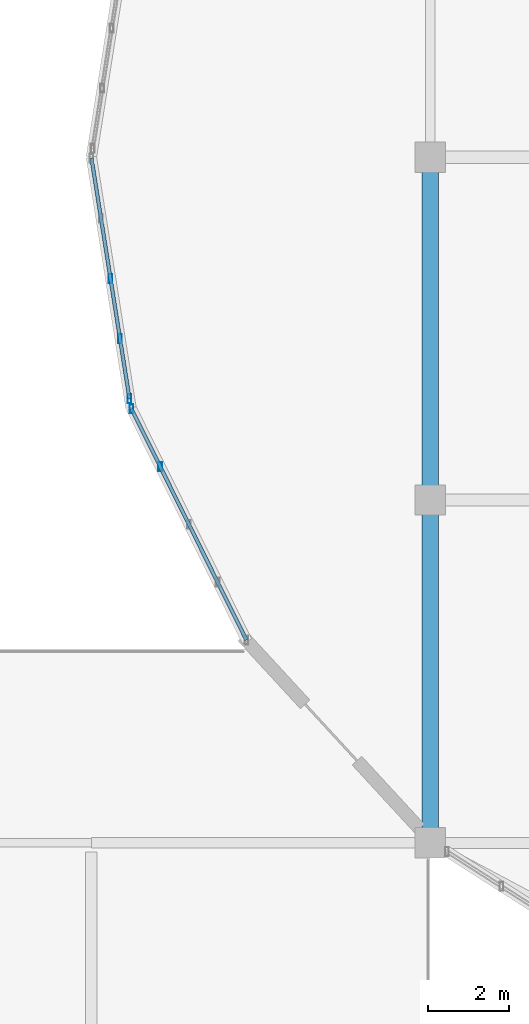
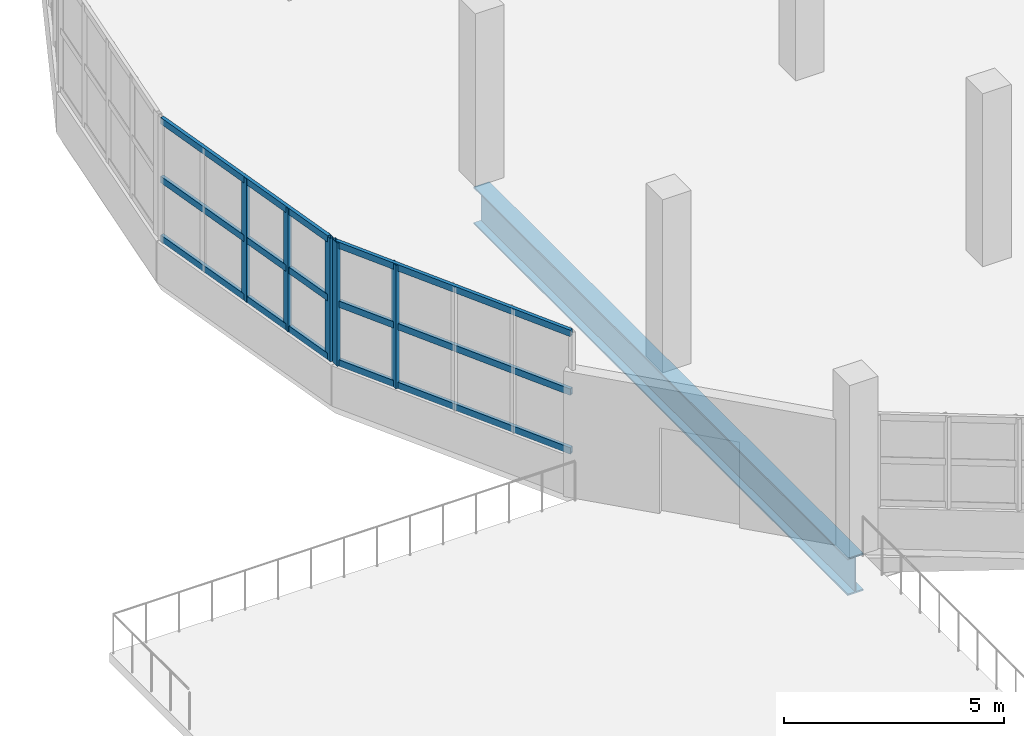
# One storey, part 9 of 77: 11 members, 1 beam, 2 elements without a shape of their own.
"""IFC4 building model written with IfcOpenShell, lengths in metres."""

import ifcopenshell
import ifcopenshell.guid

model = None  # the IFC model being written
_history = None  # IfcOwnerHistory: only IFC2X3 demands one
_inside = {}  # id of a spatial element -> (the spatial element, [elements in it])
_under = {}  # id of a project, library or spatial element -> (it, [spatial elements below it])
_declared = {}  # id of a project -> (the project, [libraries it declares])
_typed = {}  # id of a type object -> (the type object, [elements of that type])
_made_of = {}  # id of a material, layer set ... -> (it, [elements and type objects made of it])


def new_model(schema):
    """Start an empty IFC model of exactly this schema.

    Asked for "IFC4X3", IfcOpenShell would pick the latest addendum, in which some entities
    have other attributes; the version numbers below select the first issue.
    IFC2X3 requires an IfcOwnerHistory on every rooted entity: one is made here for all.
    """
    global model, _history
    if schema == "IFC4X3":
        model = ifcopenshell.file(schema_version=(4, 3, 0, 0))
    else:
        model = ifcopenshell.file(schema=schema)
    _inside.clear()
    _under.clear()
    _declared.clear()
    _typed.clear()
    _made_of.clear()
    _history = None
    if model.schema == "IFC2X3":
        org = make("IfcOrganization", Name="unknown")
        user = make(
            "IfcPersonAndOrganization",
            ThePerson=make("IfcPerson", FamilyName="unknown"),
            TheOrganization=org,
        )
        app = make(
            "IfcApplication",
            ApplicationDeveloper=org,
            Version="unknown",
            ApplicationFullName="unknown",
            ApplicationIdentifier="unknown",
        )
        _history = make(
            "IfcOwnerHistory",
            OwningUser=user,
            OwningApplication=app,
            ChangeAction="ADDED",
            CreationDate=0,
        )
    return model


def make(cls, **values):
    """One entity of the class cls with the attributes given. An attribute that is None is left unset."""
    return model.create_entity(
        cls, **{name: value for name, value in values.items() if value is not None}
    )


def rooted(cls, **values):
    """An entity with a GlobalId (a new one), such as an element, a storey or a relation."""
    return make(cls, GlobalId=ifcopenshell.guid.new(), OwnerHistory=_history, **values)


def si_unit(unit_type, name, prefix=None):
    """IfcSIUnit, for example si_unit("LENGTHUNIT", "METRE", prefix="MILLI")."""
    return make("IfcSIUnit", UnitType=unit_type, Prefix=prefix, Name=name)


def assignment(units):
    """IfcUnitAssignment: the units of a project."""
    return None if units is None else make("IfcUnitAssignment", Units=units)


def point(xyz):
    """IfcCartesianPoint."""
    return None if xyz is None else make("IfcCartesianPoint", Coordinates=xyz)


def direction(xyz):
    """IfcDirection."""
    return None if xyz is None else make("IfcDirection", DirectionRatios=xyz)


def frame(location, z_axis=None, x_axis=None):
    """IfcAxis2Placement3D, a coordinate frame: its origin and axes. An axis left out is left unset."""
    return make(
        "IfcAxis2Placement3D",
        Location=point(location),
        Axis=direction(z_axis),
        RefDirection=direction(x_axis),
    )


def frame_2d(location, x_axis=None):
    """IfcAxis2Placement2D, a coordinate frame in the plane: its origin and x axis."""
    return make(
        "IfcAxis2Placement2D", Location=point(location), RefDirection=direction(x_axis)
    )


def origin():
    """The frame at (0, 0, 0) with its axes left unset."""
    return frame((0.0, 0.0, 0.0))


def origin_2d():
    """The frame at (0, 0) in the plane with its x axis left unset."""
    return frame_2d((0.0, 0.0))


def place(relative_to, where):
    """IfcLocalPlacement: puts the frame where relative to a parent placement (None: the world)."""
    return make(
        "IfcLocalPlacement", PlacementRelTo=relative_to, RelativePlacement=where
    )


def context(
    kind, dimensions, precision=None, world=None, true_north=None, identifier=None
):
    """IfcGeometricRepresentationContext, for example the 3D "Model" context."""
    return make(
        "IfcGeometricRepresentationContext",
        ContextIdentifier=identifier,
        ContextType=kind,
        CoordinateSpaceDimension=dimensions,
        Precision=precision,
        WorldCoordinateSystem=world,
        TrueNorth=true_north,
    )


def subcontext(parent, identifier, kind, view, scale=None):
    """IfcGeometricRepresentationSubContext, for example "Body" below "Model"."""
    return make(
        "IfcGeometricRepresentationSubContext",
        ContextIdentifier=identifier,
        ContextType=kind,
        ParentContext=parent,
        TargetScale=scale,
        TargetView=view,
    )


def project(units=None, contexts=None):
    """IfcProject with its units and contexts."""
    return rooted(
        "IfcProject",
        Name="project",
        RepresentationContexts=contexts,
        UnitsInContext=assignment(units),
    )


def spatial(cls, under=None, at=None, **own):
    """A site, building, storey or space (cls), placed at a placement, below another one or the project."""
    s = rooted(cls, ObjectPlacement=at, **own)
    if under is not None:
        _under.setdefault(under.id(), (under, []))[1].append(s)
    return s


def profile(cls, at=None, kind="AREA", **sizes):
    """A parametric profile (cls). Its sizes go by their IFC names, for example OverallWidth=200.0."""
    return make(cls, ProfileType=kind, Position=at, **sizes)


def hollow_rectangle(**sizes):
    """IfcRectangleHollowProfileDef."""
    return profile("IfcRectangleHollowProfileDef", **sizes)


def i_section(**sizes):
    """IfcIShapeProfileDef."""
    return profile("IfcIShapeProfileDef", **sizes)


def extrude(swept, where, along, depth):
    """IfcExtrudedAreaSolid: the profile swept, set in the frame where, extruded along a direction by depth."""
    return make(
        "IfcExtrudedAreaSolid",
        SweptArea=swept,
        Position=where,
        ExtrudedDirection=direction(along),
        Depth=depth,
    )


def shape(context_of_items, identifier, shape_type, items):
    """IfcShapeRepresentation: the items that make up one representation, for example the "Body"."""
    return make(
        "IfcShapeRepresentation",
        ContextOfItems=context_of_items,
        RepresentationIdentifier=identifier,
        RepresentationType=shape_type,
        Items=items,
    )


def material(Name=None, Category=None):
    """IfcMaterial."""
    return make("IfcMaterial", Name=Name, Category=Category)


def material_profile(
    of_material, cross_section, Name=None, Category=None, Priority=None
):
    """IfcMaterialProfile: a cross section and its material."""
    return make(
        "IfcMaterialProfile",
        Name=Name,
        Material=of_material,
        Profile=cross_section,
        Priority=Priority,
        Category=Category,
    )


def profile_set(profiles, Name=None, composite=None):
    """IfcMaterialProfileSet."""
    return make(
        "IfcMaterialProfileSet",
        Name=Name,
        MaterialProfiles=profiles,
        CompositeProfile=composite,
    )


def made_of(thing, what):
    """Note that an element or type object is made of a material, layer set ...; save() writes the relation."""
    if what is not None:
        _made_of.setdefault(what.id(), (what, []))[1].append(thing)
    return thing


def type_object(cls, material=None, **own):
    """A type object (cls), such as IfcWallType, which elements share."""
    return made_of(rooted(cls, **own), material)


def element(
    cls,
    number,
    at=None,
    inside=None,
    cuts=None,
    type_object=None,
    material=None,
    context=None,
    identifier="Body",
    shape_type=None,
    held_by="IfcProductDefinitionShape",
    body=None,
    shapes=None,
    **own,
):
    """One element of the class cls, such as IfcWall. Its Tag is "e" and its number.

    at: its placement. inside: the storey or other place that contains it. cuts: it is an
    opening in that element (IfcRelVoidsElement). A single representation is given by context,
    identifier, shape_type and body (its items); several are given by shapes. held_by: the class
    of the entity that holds the representations. save() writes the other relations.
    """
    e = rooted(cls, Tag="e%d" % number, ObjectPlacement=at, **own)
    if body is not None:
        shapes = [shape(context, identifier, shape_type, body)]
    if shapes is not None:
        e.Representation = make(held_by, Representations=shapes)
    if inside is not None:
        _inside.setdefault(inside.id(), (inside, []))[1].append(e)
    if cuts is not None:
        rooted(
            "IfcRelVoidsElement", RelatingBuildingElement=cuts, RelatedOpeningElement=e
        )
    if type_object is not None:
        _typed.setdefault(type_object.id(), (type_object, []))[1].append(e)
    return made_of(e, material)


def aggregate(whole, parts):
    """IfcRelAggregates: a whole, such as a stair, and the parts it consists of."""
    return rooted("IfcRelAggregates", RelatingObject=whole, RelatedObjects=parts)


def save(model, path):
    """Write the relations noted so far, then the file.

    IfcRelAggregates (storeys below a building ...), IfcRelContainedInSpatialStructure (elements
    in a storey), IfcRelDefinesByType, IfcRelAssociatesMaterial and IfcRelDeclares: one each for
    every whole, place, type object, material and project.
    """
    for whole, parts in _under.values():
        aggregate(whole, parts)
    for where, things in _inside.values():
        rooted(
            "IfcRelContainedInSpatialStructure",
            RelatedElements=things,
            RelatingStructure=where,
        )
    for kind, things in _typed.values():
        rooted("IfcRelDefinesByType", RelatedObjects=things, RelatingType=kind)
    for what, things in _made_of.values():
        rooted("IfcRelAssociatesMaterial", RelatedObjects=things, RelatingMaterial=what)
    for by, libraries in _declared.values():
        rooted("IfcRelDeclares", RelatingContext=by, RelatedDefinitions=libraries)
    model.write(path)


model = new_model("IFC4")

# Units and contexts
model_context = context("Model", 3, precision=1e-05, world=origin(), true_north=direction((0.0, 1.0)))
body_context = subcontext(model_context, "Body", "Model", "MODEL_VIEW")
ifc_project = project(units=[si_unit("LENGTHUNIT", "METRE"), si_unit("AREAUNIT", "SQUARE_METRE"), si_unit("VOLUMEUNIT", "CUBIC_METRE"), si_unit("PLANEANGLEUNIT", "RADIAN"), si_unit("MASSUNIT", "GRAM", prefix="KILO")], contexts=[model_context])

# Site, building, storey
site_placement = place(None, origin())
site = spatial("IfcSite", under=ifc_project, at=site_placement, CompositionType="ELEMENT")
building_placement = place(site_placement, origin())
building = spatial("IfcBuilding", under=site, at=building_placement, Name="Solvento Point Concert Hall", CompositionType="ELEMENT")
storey_placement = place(building_placement, frame((0.0, 0.0, 10.199951171875)))
storey = spatial("IfcBuildingStorey", under=building, at=storey_placement, Name="L02", CompositionType="ELEMENT", Elevation=10.199951171875)

# Beam
ifc_material_1 = material(Name="Structural Steel ASTM A992 Grade 50", Category="steel")
ifc_material_profile_1 = material_profile(ifc_material_1, i_section(OverallWidth=0.408935546875, OverallDepth=1.041015625, WebThickness=0.031005859375, FlangeThickness=0.04443359375, at=origin_2d()), Name="W40X397")
ifc_profile_set_1 = profile_set([ifc_material_profile_1], Name="Structural Steel ASTM A992 Grade 50")
beam_type = type_object("IfcBeamType", Name="CantileverGirder_W40X397", PredefinedType="USERDEFINED", material=ifc_profile_set_1)
beam_placement = place(storey_placement, frame((40.800048828125, 34.0, -0.79541015625), z_axis=(0.0, -1.0, 0.0), x_axis=(1.0, 0.0, 0.0)))
element("IfcBeam", 1, at=beam_placement, inside=storey, type_object=beam_type, Name="Radial back-span girder CG-01 L02", ObjectType="GIRDER", PredefinedType="USERDEFINED", context=body_context, shape_type="SweptSolid", body=[
    extrude(i_section(OverallWidth=0.408935546875, OverallDepth=1.041015625, WebThickness=0.031005859375, FlangeThickness=0.04443359375, at=origin_2d()), origin(), (0.0, 0.0, 1.0), 17.0),
])

# Curtain wall, members
ifc_material_2 = material(Name="Anodized Bronze Aluminium", Category="aluminium")
curtain_wall_type = type_object("IfcCurtainWallType", Name="CurtainWall_RingRibbon_L01_02", PredefinedType="USERDEFINED", material=ifc_material_2)
curtain_wall_1_placement = place(storey_placement, origin())
curtain_wall_1 = element("IfcCurtainWall", 2, at=curtain_wall_1_placement, inside=storey, type_object=curtain_wall_type, Name="Unitised curtain wall CW-59 UCW-L02-168", ObjectType="UNITISED CURTAIN WALL", PredefinedType="USERDEFINED")
ifc_material_3 = material(Name="Anodized Bronze Aluminium", Category="aluminium")
ifc_material_profile_2 = material_profile(ifc_material_3, hollow_rectangle(XDim=0.090087890625, YDim=0.219970703125, WallThickness=0.00439453125, at=origin_2d()), Name="CW-MUL-90X220")
ifc_profile_set_2 = profile_set([ifc_material_profile_2], Name="Anodized Bronze Aluminium")
member_type_1 = type_object("IfcMemberType", Name="Mullion_90x220", PredefinedType="MULLION", material=ifc_profile_set_2)
member_1_placement = place(storey_placement, frame((34.107421875, 26.327880859375, 1.1201171875), z_axis=(0.0, 0.0, 1.0), x_axis=(1.0, 0.0, 0.0)))
member_1 = element("IfcMember", 3, at=member_1_placement, type_object=member_type_1, Name="Curtain wall mullion ML-02", PredefinedType="MULLION", context=body_context, shape_type="SweptSolid", body=[
    extrude(hollow_rectangle(XDim=0.090087890625, YDim=0.219970703125, WallThickness=0.00439453125, at=origin_2d()), origin(), (0.0, 0.0, 1.0), 3.419921875),
])
member_2_placement = place(storey_placement, frame((33.394775390625, 27.761474609375, 1.1201171875), z_axis=(0.0, 0.0, 1.0), x_axis=(1.0, 0.0, 0.0)))
member_2 = element("IfcMember", 4, at=member_2_placement, type_object=member_type_1, Name="Curtain wall mullion ML-02", PredefinedType="MULLION", context=body_context, shape_type="SweptSolid", body=[
    extrude(hollow_rectangle(XDim=0.090087890625, YDim=0.219970703125, WallThickness=0.00439453125, at=origin_2d()), origin(), (0.0, 0.0, 1.0), 3.419921875),
])

curtain_wall_2_placement = place(storey_placement, origin())
curtain_wall_2 = element("IfcCurtainWall", 5, at=curtain_wall_2_placement, inside=storey, type_object=curtain_wall_type, Name="Unitised curtain wall CW-59 UCW-L02-169", ObjectType="UNITISED CURTAIN WALL", PredefinedType="USERDEFINED")
member_3_placement = place(storey_placement, frame((33.346923828125, 28.005615234375, 1.1201171875), z_axis=(0.0, 0.0, 1.0), x_axis=(1.0, 0.0, 0.0)))
member_3 = element("IfcMember", 6, at=member_3_placement, type_object=member_type_1, Name="Curtain wall mullion ML-02", PredefinedType="MULLION", context=body_context, shape_type="SweptSolid", body=[
    extrude(hollow_rectangle(XDim=0.090087890625, YDim=0.219970703125, WallThickness=0.00439453125, at=origin_2d()), origin(), (0.0, 0.0, 1.0), 3.419921875),
])
member_4_placement = place(storey_placement, frame((33.111328125, 29.496826171875, 1.1201171875), z_axis=(0.0, 0.0, 1.0), x_axis=(1.0, 0.0, 0.0)))
member_4 = element("IfcMember", 7, at=member_4_placement, type_object=member_type_1, Name="Curtain wall mullion ML-02", PredefinedType="MULLION", context=body_context, shape_type="SweptSolid", body=[
    extrude(hollow_rectangle(XDim=0.090087890625, YDim=0.219970703125, WallThickness=0.00439453125, at=origin_2d()), origin(), (0.0, 0.0, 1.0), 3.419921875),
])
member_5_placement = place(storey_placement, frame((32.875732421875, 30.988037109375, 1.1201171875), z_axis=(0.0, 0.0, 1.0), x_axis=(1.0, 0.0, 0.0)))
member_5 = element("IfcMember", 8, at=member_5_placement, type_object=member_type_1, Name="Curtain wall mullion ML-02", PredefinedType="MULLION", context=body_context, shape_type="SweptSolid", body=[
    extrude(hollow_rectangle(XDim=0.090087890625, YDim=0.219970703125, WallThickness=0.00439453125, at=origin_2d()), origin(), (0.0, 0.0, 1.0), 3.419921875),
])

# Member
ifc_material_4 = material(Name="Anodized Bronze Aluminium", Category="aluminium")
ifc_material_profile_3 = material_profile(ifc_material_4, hollow_rectangle(XDim=0.090087890625, YDim=0.179931640625, WallThickness=0.00439453125, at=origin_2d()), Name="CW-TRN-90X180")
ifc_profile_set_3 = profile_set([ifc_material_profile_3], Name="Anodized Bronze Aluminium")
member_type_2 = type_object("IfcMemberType", Name="Transom_90x180", PredefinedType="USERDEFINED", material=ifc_profile_set_3)
member_6_placement = place(storey_placement, frame((36.2451171875, 22.02685546875, 1.199951171875), z_axis=(-0.445092669224, 0.895484514552, 0.0), x_axis=(-0.895484514552, -0.445092669224, 0.0)))
member_6 = element("IfcMember", 9, at=member_6_placement, type_object=member_type_2, Name="Curtain wall transom TR-02", ObjectType="TRANSOM", PredefinedType="USERDEFINED", context=body_context, shape_type="SweptSolid", body=[
    extrude(hollow_rectangle(XDim=0.090087890625, YDim=0.179931640625, WallThickness=0.00439453125, at=origin_2d()), origin(), (0.0, 0.0, 1.0), 6.40380859375),
])

member_7_placement = place(storey_placement, frame((36.2451171875, 22.02685546875, 2.830078125), z_axis=(-0.445092669224, 0.895484514552, 0.0), x_axis=(-0.895484514552, -0.445092669224, 0.0)))
member_7 = element("IfcMember", 10, at=member_7_placement, type_object=member_type_2, Name="Curtain wall transom TR-02", ObjectType="TRANSOM", PredefinedType="USERDEFINED", context=body_context, shape_type="SweptSolid", body=[
    extrude(hollow_rectangle(XDim=0.090087890625, YDim=0.179931640625, WallThickness=0.00439453125, at=origin_2d()), origin(), (0.0, 0.0, 1.0), 6.40380859375),
])

member_8_placement = place(storey_placement, frame((36.2451171875, 22.02685546875, 4.4599609375), z_axis=(-0.445092669224, 0.895484514552, 0.0), x_axis=(-0.895484514552, -0.445092669224, 0.0)))
member_8 = element("IfcMember", 11, at=member_8_placement, type_object=member_type_2, Name="Curtain wall transom TR-02", ObjectType="TRANSOM", PredefinedType="USERDEFINED", context=body_context, shape_type="SweptSolid", body=[
    extrude(hollow_rectangle(XDim=0.090087890625, YDim=0.179931640625, WallThickness=0.00439453125, at=origin_2d()), origin(), (0.0, 0.0, 1.0), 6.40380859375),
])

aggregate(curtain_wall_1, [member_1, member_2, member_6, member_7, member_8])

member_9_placement = place(storey_placement, frame((33.346923828125, 28.005615234375, 1.199951171875), z_axis=(-0.156014475008, 0.987754768952, 0.0), x_axis=(-0.987754768952, -0.156014475008, 0.0)))
member_9 = element("IfcMember", 12, at=member_9_placement, type_object=member_type_2, Name="Curtain wall transom TR-02", ObjectType="TRANSOM", PredefinedType="USERDEFINED", context=body_context, shape_type="SweptSolid", body=[
    extrude(hollow_rectangle(XDim=0.090087890625, YDim=0.179931640625, WallThickness=0.00439453125, at=origin_2d()), origin(), (0.0, 0.0, 1.0), 6.038818359375),
])

member_10_placement = place(storey_placement, frame((33.346923828125, 28.005615234375, 2.830078125), z_axis=(-0.156014475008, 0.987754768952, 0.0), x_axis=(-0.987754768952, -0.156014475008, 0.0)))
member_10 = element("IfcMember", 13, at=member_10_placement, type_object=member_type_2, Name="Curtain wall transom TR-02", ObjectType="TRANSOM", PredefinedType="USERDEFINED", context=body_context, shape_type="SweptSolid", body=[
    extrude(hollow_rectangle(XDim=0.090087890625, YDim=0.179931640625, WallThickness=0.00439453125, at=origin_2d()), origin(), (0.0, 0.0, 1.0), 6.038818359375),
])

member_11_placement = place(storey_placement, frame((33.346923828125, 28.005615234375, 4.4599609375), z_axis=(-0.156014475008, 0.987754768952, 0.0), x_axis=(-0.987754768952, -0.156014475008, 0.0)))
member_11 = element("IfcMember", 14, at=member_11_placement, type_object=member_type_2, Name="Curtain wall transom TR-02", ObjectType="TRANSOM", PredefinedType="USERDEFINED", context=body_context, shape_type="SweptSolid", body=[
    extrude(hollow_rectangle(XDim=0.090087890625, YDim=0.179931640625, WallThickness=0.00439453125, at=origin_2d()), origin(), (0.0, 0.0, 1.0), 6.038818359375),
])

aggregate(curtain_wall_2, [member_3, member_4, member_5, member_9, member_10, member_11])

save(model, "model.ifc")
